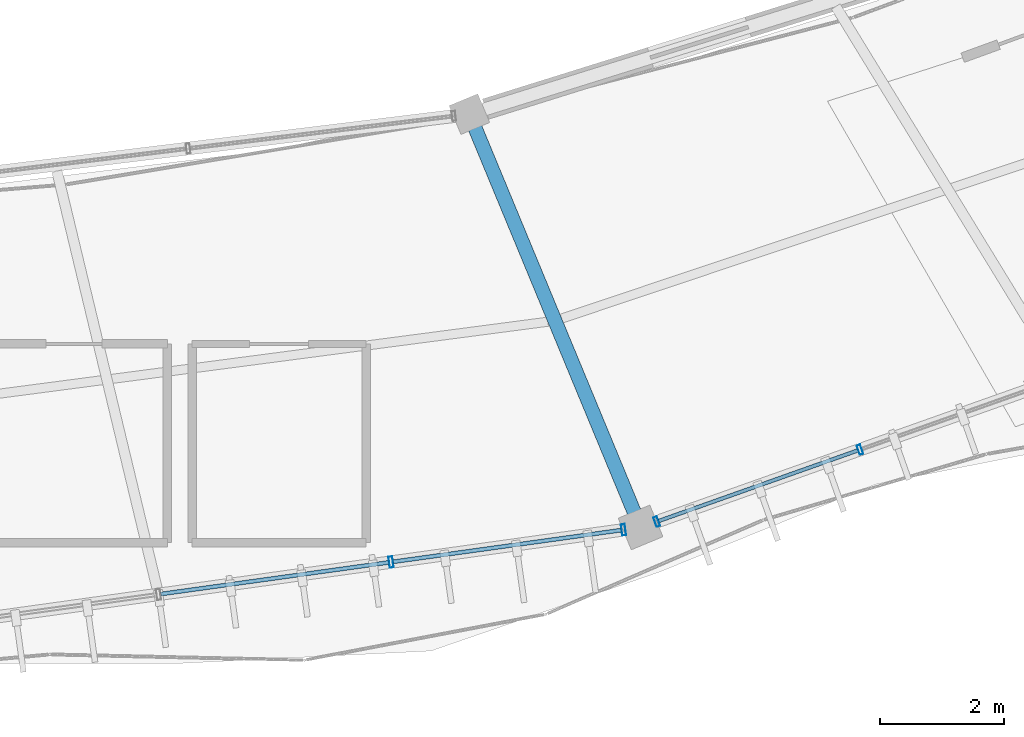
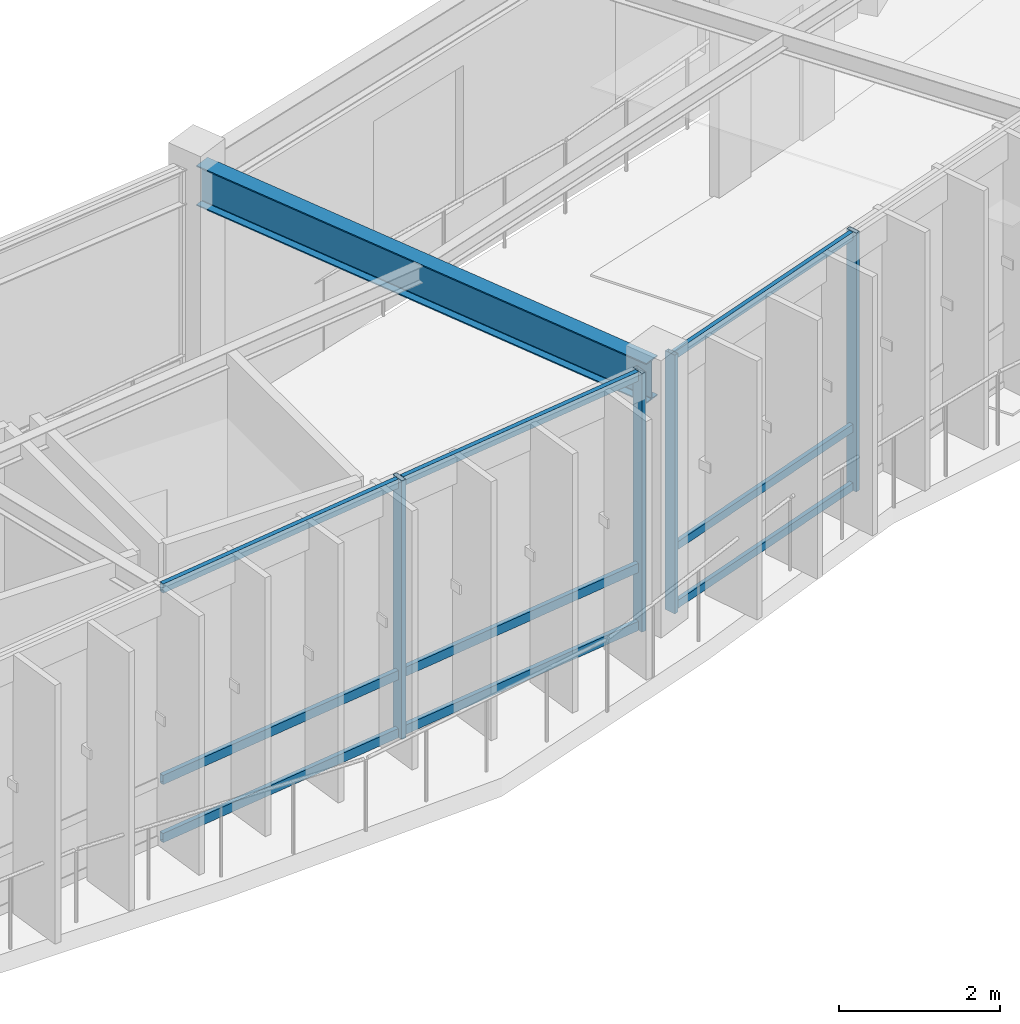
# One storey, part 41 of 79: 13 members, 1 beam, 2 elements without a shape of their own.
"""IFC4 building model written with IfcOpenShell, lengths in metres."""

import ifcopenshell
import ifcopenshell.guid

model = None  # the IFC model being written
_history = None  # IfcOwnerHistory: only IFC2X3 demands one
_inside = {}  # id of a spatial element -> (the spatial element, [elements in it])
_under = {}  # id of a project, library or spatial element -> (it, [spatial elements below it])
_declared = {}  # id of a project -> (the project, [libraries it declares])
_typed = {}  # id of a type object -> (the type object, [elements of that type])
_made_of = {}  # id of a material, layer set ... -> (it, [elements and type objects made of it])


def new_model(schema):
    """Start an empty IFC model of exactly this schema.

    Asked for "IFC4X3", IfcOpenShell would pick the latest addendum, in which some entities
    have other attributes; the version numbers below select the first issue.
    IFC2X3 requires an IfcOwnerHistory on every rooted entity: one is made here for all.
    """
    global model, _history
    if schema == "IFC4X3":
        model = ifcopenshell.file(schema_version=(4, 3, 0, 0))
    else:
        model = ifcopenshell.file(schema=schema)
    _inside.clear()
    _under.clear()
    _declared.clear()
    _typed.clear()
    _made_of.clear()
    _history = None
    if model.schema == "IFC2X3":
        org = make("IfcOrganization", Name="unknown")
        user = make(
            "IfcPersonAndOrganization",
            ThePerson=make("IfcPerson", FamilyName="unknown"),
            TheOrganization=org,
        )
        app = make(
            "IfcApplication",
            ApplicationDeveloper=org,
            Version="unknown",
            ApplicationFullName="unknown",
            ApplicationIdentifier="unknown",
        )
        _history = make(
            "IfcOwnerHistory",
            OwningUser=user,
            OwningApplication=app,
            ChangeAction="ADDED",
            CreationDate=0,
        )
    return model


def make(cls, **values):
    """One entity of the class cls with the attributes given. An attribute that is None is left unset."""
    return model.create_entity(
        cls, **{name: value for name, value in values.items() if value is not None}
    )


def rooted(cls, **values):
    """An entity with a GlobalId (a new one), such as an element, a storey or a relation."""
    return make(cls, GlobalId=ifcopenshell.guid.new(), OwnerHistory=_history, **values)


def si_unit(unit_type, name, prefix=None):
    """IfcSIUnit, for example si_unit("LENGTHUNIT", "METRE", prefix="MILLI")."""
    return make("IfcSIUnit", UnitType=unit_type, Prefix=prefix, Name=name)


def assignment(units):
    """IfcUnitAssignment: the units of a project."""
    return None if units is None else make("IfcUnitAssignment", Units=units)


def point(xyz):
    """IfcCartesianPoint."""
    return None if xyz is None else make("IfcCartesianPoint", Coordinates=xyz)


def direction(xyz):
    """IfcDirection."""
    return None if xyz is None else make("IfcDirection", DirectionRatios=xyz)


def frame(location, z_axis=None, x_axis=None):
    """IfcAxis2Placement3D, a coordinate frame: its origin and axes. An axis left out is left unset."""
    return make(
        "IfcAxis2Placement3D",
        Location=point(location),
        Axis=direction(z_axis),
        RefDirection=direction(x_axis),
    )


def frame_2d(location, x_axis=None):
    """IfcAxis2Placement2D, a coordinate frame in the plane: its origin and x axis."""
    return make(
        "IfcAxis2Placement2D", Location=point(location), RefDirection=direction(x_axis)
    )


def origin():
    """The frame at (0, 0, 0) with its axes left unset."""
    return frame((0.0, 0.0, 0.0))


def origin_2d():
    """The frame at (0, 0) in the plane with its x axis left unset."""
    return frame_2d((0.0, 0.0))


def place(relative_to, where):
    """IfcLocalPlacement: puts the frame where relative to a parent placement (None: the world)."""
    return make(
        "IfcLocalPlacement", PlacementRelTo=relative_to, RelativePlacement=where
    )


def context(
    kind, dimensions, precision=None, world=None, true_north=None, identifier=None
):
    """IfcGeometricRepresentationContext, for example the 3D "Model" context."""
    return make(
        "IfcGeometricRepresentationContext",
        ContextIdentifier=identifier,
        ContextType=kind,
        CoordinateSpaceDimension=dimensions,
        Precision=precision,
        WorldCoordinateSystem=world,
        TrueNorth=true_north,
    )


def subcontext(parent, identifier, kind, view, scale=None):
    """IfcGeometricRepresentationSubContext, for example "Body" below "Model"."""
    return make(
        "IfcGeometricRepresentationSubContext",
        ContextIdentifier=identifier,
        ContextType=kind,
        ParentContext=parent,
        TargetScale=scale,
        TargetView=view,
    )


def project(units=None, contexts=None):
    """IfcProject with its units and contexts."""
    return rooted(
        "IfcProject",
        Name="project",
        RepresentationContexts=contexts,
        UnitsInContext=assignment(units),
    )


def spatial(cls, under=None, at=None, **own):
    """A site, building, storey or space (cls), placed at a placement, below another one or the project."""
    s = rooted(cls, ObjectPlacement=at, **own)
    if under is not None:
        _under.setdefault(under.id(), (under, []))[1].append(s)
    return s


def profile(cls, at=None, kind="AREA", **sizes):
    """A parametric profile (cls). Its sizes go by their IFC names, for example OverallWidth=200.0."""
    return make(cls, ProfileType=kind, Position=at, **sizes)


def hollow_rectangle(**sizes):
    """IfcRectangleHollowProfileDef."""
    return profile("IfcRectangleHollowProfileDef", **sizes)


def i_section(**sizes):
    """IfcIShapeProfileDef."""
    return profile("IfcIShapeProfileDef", **sizes)


def extrude(swept, where, along, depth):
    """IfcExtrudedAreaSolid: the profile swept, set in the frame where, extruded along a direction by depth."""
    return make(
        "IfcExtrudedAreaSolid",
        SweptArea=swept,
        Position=where,
        ExtrudedDirection=direction(along),
        Depth=depth,
    )


def shape(context_of_items, identifier, shape_type, items):
    """IfcShapeRepresentation: the items that make up one representation, for example the "Body"."""
    return make(
        "IfcShapeRepresentation",
        ContextOfItems=context_of_items,
        RepresentationIdentifier=identifier,
        RepresentationType=shape_type,
        Items=items,
    )


def material(Name=None, Category=None):
    """IfcMaterial."""
    return make("IfcMaterial", Name=Name, Category=Category)


def material_profile(
    of_material, cross_section, Name=None, Category=None, Priority=None
):
    """IfcMaterialProfile: a cross section and its material."""
    return make(
        "IfcMaterialProfile",
        Name=Name,
        Material=of_material,
        Profile=cross_section,
        Priority=Priority,
        Category=Category,
    )


def profile_set(profiles, Name=None, composite=None):
    """IfcMaterialProfileSet."""
    return make(
        "IfcMaterialProfileSet",
        Name=Name,
        MaterialProfiles=profiles,
        CompositeProfile=composite,
    )


def made_of(thing, what):
    """Note that an element or type object is made of a material, layer set ...; save() writes the relation."""
    if what is not None:
        _made_of.setdefault(what.id(), (what, []))[1].append(thing)
    return thing


def type_object(cls, material=None, **own):
    """A type object (cls), such as IfcWallType, which elements share."""
    return made_of(rooted(cls, **own), material)


def element(
    cls,
    number,
    at=None,
    inside=None,
    cuts=None,
    type_object=None,
    material=None,
    context=None,
    identifier="Body",
    shape_type=None,
    held_by="IfcProductDefinitionShape",
    body=None,
    shapes=None,
    **own,
):
    """One element of the class cls, such as IfcWall. Its Tag is "e" and its number.

    at: its placement. inside: the storey or other place that contains it. cuts: it is an
    opening in that element (IfcRelVoidsElement). A single representation is given by context,
    identifier, shape_type and body (its items); several are given by shapes. held_by: the class
    of the entity that holds the representations. save() writes the other relations.
    """
    e = rooted(cls, Tag="e%d" % number, ObjectPlacement=at, **own)
    if body is not None:
        shapes = [shape(context, identifier, shape_type, body)]
    if shapes is not None:
        e.Representation = make(held_by, Representations=shapes)
    if inside is not None:
        _inside.setdefault(inside.id(), (inside, []))[1].append(e)
    if cuts is not None:
        rooted(
            "IfcRelVoidsElement", RelatingBuildingElement=cuts, RelatedOpeningElement=e
        )
    if type_object is not None:
        _typed.setdefault(type_object.id(), (type_object, []))[1].append(e)
    return made_of(e, material)


def aggregate(whole, parts):
    """IfcRelAggregates: a whole, such as a stair, and the parts it consists of."""
    return rooted("IfcRelAggregates", RelatingObject=whole, RelatedObjects=parts)


def save(model, path):
    """Write the relations noted so far, then the file.

    IfcRelAggregates (storeys below a building ...), IfcRelContainedInSpatialStructure (elements
    in a storey), IfcRelDefinesByType, IfcRelAssociatesMaterial and IfcRelDeclares: one each for
    every whole, place, type object, material and project.
    """
    for whole, parts in _under.values():
        aggregate(whole, parts)
    for where, things in _inside.values():
        rooted(
            "IfcRelContainedInSpatialStructure",
            RelatedElements=things,
            RelatingStructure=where,
        )
    for kind, things in _typed.values():
        rooted("IfcRelDefinesByType", RelatedObjects=things, RelatingType=kind)
    for what, things in _made_of.values():
        rooted("IfcRelAssociatesMaterial", RelatedObjects=things, RelatingMaterial=what)
    for by, libraries in _declared.values():
        rooted("IfcRelDeclares", RelatingContext=by, RelatedDefinitions=libraries)
    model.write(path)


model = new_model("IFC4")

# Units and contexts
model_context = context("Model", 3, precision=1e-05, world=origin(), true_north=direction((0.0, 1.0)))
body_context = subcontext(model_context, "Body", "Model", "MODEL_VIEW")
ifc_project = project(units=[si_unit("LENGTHUNIT", "METRE"), si_unit("AREAUNIT", "SQUARE_METRE"), si_unit("VOLUMEUNIT", "CUBIC_METRE"), si_unit("PLANEANGLEUNIT", "RADIAN"), si_unit("MASSUNIT", "GRAM", prefix="KILO"), si_unit("THERMODYNAMICTEMPERATUREUNIT", "KELVIN"), si_unit("POWERUNIT", "WATT")], contexts=[model_context])

# Site, building, storey
site_placement = place(None, origin())
site = spatial("IfcSite", under=ifc_project, at=site_placement, CompositionType="ELEMENT")
building_placement = place(site_placement, origin())
building = spatial("IfcBuilding", under=site, at=building_placement, Name="Darbajah Civic Hall", CompositionType="ELEMENT")
storey_placement = place(building_placement, frame((0.0, 0.0, 22.199951171875)))
storey = spatial("IfcBuildingStorey", under=building, at=storey_placement, Name="L05", CompositionType="ELEMENT", Elevation=22.199951171875)

# Curtain wall, members
ifc_material_1 = material(Name="Anodised Bronze Aluminium and Low-E Glazing", Category="aluminium")
curtain_wall_type_1 = type_object("IfcCurtainWallType", Name="Unitised Curtain Wall CW-85 13900x3900", PredefinedType="USERDEFINED", material=ifc_material_1)
curtain_wall_1_placement = place(storey_placement, origin())
curtain_wall_1 = element("IfcCurtainWall", 1, at=curtain_wall_1_placement, inside=storey, type_object=curtain_wall_type_1, Name="L05 unitised curtain wall CW-V1O-L05-16", ObjectType="UNITISED CURTAIN WALL", PredefinedType="USERDEFINED")
ifc_material_2 = material(Name="Anodised Bronze Aluminium", Category="aluminium")
ifc_material_profile_1 = material_profile(ifc_material_2, hollow_rectangle(XDim=0.06005859375, YDim=0.159912109375, WallThickness=0.00341796875, at=origin_2d()), Name="ALU MULLION 60x160")
ifc_profile_set_1 = profile_set([ifc_material_profile_1], Name="Anodised Bronze Aluminium")
member_type_1 = type_object("IfcMemberType", Name="ALU MULLION 60x160", PredefinedType="MULLION", material=ifc_profile_set_1)
member_1_placement = place(storey_placement, frame((108.8779296875, 62.63818359375, 0.0), z_axis=(0.0, 0.0, 1.0), x_axis=(0.94252491309, 0.334135882844, 0.0)))
member_1 = element("IfcMember", 2, at=member_1_placement, type_object=member_type_1, Name="CW-V1O-L05-16 mullion 1", PredefinedType="MULLION", context=body_context, shape_type="SweptSolid", body=[
    extrude(hollow_rectangle(XDim=0.06005859375, YDim=0.159912109375, WallThickness=0.00341796875, at=origin_2d()), origin(), (0.0, 0.0, 1.0), 3.920166015625),
])
member_2_placement = place(storey_placement, frame((112.148681640625, 63.79736328125, 0.0), z_axis=(0.0, 0.0, 1.0), x_axis=(0.94252491309, 0.334135882844, 0.0)))
member_2 = element("IfcMember", 3, at=member_2_placement, type_object=member_type_1, Name="CW-V1O-L05-16 mullion 2", PredefinedType="MULLION", context=body_context, shape_type="SweptSolid", body=[
    extrude(hollow_rectangle(XDim=0.06005859375, YDim=0.159912109375, WallThickness=0.00341796875, at=origin_2d()), origin(), (0.0, 0.0, 1.0), 3.920166015625),
])

curtain_wall_type_2 = type_object("IfcCurtainWallType", Name="Unitised Curtain Wall CW-72 15100x3900", PredefinedType="USERDEFINED", material=ifc_material_1)
curtain_wall_2_placement = place(storey_placement, origin())
curtain_wall_2 = element("IfcCurtainWall", 4, at=curtain_wall_2_placement, inside=storey, type_object=curtain_wall_type_2, Name="L05 unitised curtain wall CW-V1O-L05-15", ObjectType="UNITISED CURTAIN WALL", PredefinedType="USERDEFINED")
ifc_material_profile_2 = material_profile(ifc_material_2, hollow_rectangle(XDim=0.06494140625, YDim=0.179931640625, WallThickness=0.00390625, at=origin_2d()), Name="ALU MULLION 65x180")
ifc_profile_set_2 = profile_set([ifc_material_profile_2], Name="Anodised Bronze Aluminium")
member_type_2 = type_object("IfcMemberType", Name="ALU MULLION 65x180", PredefinedType="MULLION", material=ifc_profile_set_2)
member_3_placement = place(storey_placement, frame((104.600830078125, 61.98779296875, 0.0), z_axis=(0.0, 0.0, 1.0), x_axis=(0.990485459553, 0.137617420457, 0.0)))
member_3 = element("IfcMember", 5, at=member_3_placement, type_object=member_type_2, Name="CW-V1O-L05-15 mullion 4", PredefinedType="MULLION", context=body_context, shape_type="SweptSolid", body=[
    extrude(hollow_rectangle(XDim=0.06494140625, YDim=0.179931640625, WallThickness=0.00390625, at=origin_2d()), origin(), (0.0, 0.0, 1.0), 3.920166015625),
])
member_4_placement = place(storey_placement, frame((108.342529296875, 62.507568359375, 0.0), z_axis=(0.0, 0.0, 1.0), x_axis=(0.990485459553, 0.137617420457, 0.0)))
member_4 = element("IfcMember", 6, at=member_4_placement, type_object=member_type_2, Name="CW-V1O-L05-15 mullion 5", PredefinedType="MULLION", context=body_context, shape_type="SweptSolid", body=[
    extrude(hollow_rectangle(XDim=0.06494140625, YDim=0.179931640625, WallThickness=0.00390625, at=origin_2d()), origin(), (0.0, 0.0, 1.0), 3.920166015625),
])

# Member
ifc_material_profile_3 = material_profile(ifc_material_2, hollow_rectangle(XDim=0.06005859375, YDim=0.1201171875, WallThickness=0.003173828125, at=origin_2d()), Name="ALU TRANSOM 60x120")
ifc_profile_set_3 = profile_set([ifc_material_profile_3], Name="Anodised Bronze Aluminium")
member_type_3 = type_object("IfcMemberType", Name="ALU TRANSOM 60x120", PredefinedType="USERDEFINED", material=ifc_profile_set_3)
member_5_placement = place(storey_placement, frame((108.910888671875, 62.64990234375, 0.06005859375), z_axis=(0.942540106259, 0.334093023114, 0.0), x_axis=(-0.334093023114, 0.942540106259, 0.0)))
member_5 = element("IfcMember", 7, at=member_5_placement, type_object=member_type_3, Name="CW-V1O-L05-16 transom 1.1", ObjectType="TRANSOM", PredefinedType="USERDEFINED", context=body_context, shape_type="SweptSolid", body=[
    extrude(hollow_rectangle(XDim=0.06005859375, YDim=0.1201171875, WallThickness=0.003173828125, at=origin_2d()), origin(), (0.0, 0.0, 1.0), 3.400146484375),
])

member_6_placement = place(storey_placement, frame((108.910888671875, 62.64990234375, 0.949951171875), z_axis=(0.942540106259, 0.334093023114, 0.0), x_axis=(-0.334093023114, 0.942540106259, 0.0)))
member_6 = element("IfcMember", 8, at=member_6_placement, type_object=member_type_3, Name="CW-V1O-L05-16 transom 1.2", ObjectType="TRANSOM", PredefinedType="USERDEFINED", context=body_context, shape_type="SweptSolid", body=[
    extrude(hollow_rectangle(XDim=0.06005859375, YDim=0.1201171875, WallThickness=0.003173828125, at=origin_2d()), origin(), (0.0, 0.0, 1.0), 3.400146484375),
])

member_7_placement = place(storey_placement, frame((108.910888671875, 62.64990234375, 3.860107421875), z_axis=(0.942540106259, 0.334093023114, 0.0), x_axis=(-0.334093023114, 0.942540106259, 0.0)))
member_7 = element("IfcMember", 9, at=member_7_placement, type_object=member_type_3, Name="CW-V1O-L05-16 transom 1.3", ObjectType="TRANSOM", PredefinedType="USERDEFINED", context=body_context, shape_type="SweptSolid", body=[
    extrude(hollow_rectangle(XDim=0.06005859375, YDim=0.1201171875, WallThickness=0.003173828125, at=origin_2d()), origin(), (0.0, 0.0, 1.0), 3.400146484375),
])

aggregate(curtain_wall_1, [member_1, member_2, member_5, member_6, member_7])

ifc_material_profile_4 = material_profile(ifc_material_2, hollow_rectangle(XDim=0.06494140625, YDim=0.139892578125, WallThickness=0.00341796875, at=origin_2d()), Name="ALU TRANSOM 65x140")
ifc_profile_set_4 = profile_set([ifc_material_profile_4], Name="Anodised Bronze Aluminium")
member_type_4 = type_object("IfcMemberType", Name="ALU TRANSOM 65x140", PredefinedType="USERDEFINED", material=ifc_profile_set_4)
member_8_placement = place(storey_placement, frame((100.896240234375, 61.473388671875, 0.070068359375), z_axis=(0.990495766836, 0.137543214593, 0.0), x_axis=(-0.137543214593, 0.990495766836, 0.0)))
member_8 = element("IfcMember", 10, at=member_8_placement, type_object=member_type_4, Name="CW-V1O-L05-15 transom 3.1", ObjectType="TRANSOM", PredefinedType="USERDEFINED", context=body_context, shape_type="SweptSolid", body=[
    extrude(hollow_rectangle(XDim=0.06494140625, YDim=0.139892578125, WallThickness=0.00341796875, at=origin_2d()), origin(), (0.0, 0.0, 1.0), 3.70263671875),
])

member_9_placement = place(storey_placement, frame((100.896240234375, 61.473388671875, 0.949951171875), z_axis=(0.990495766836, 0.137543214593, 0.0), x_axis=(-0.137543214593, 0.990495766836, 0.0)))
member_9 = element("IfcMember", 11, at=member_9_placement, type_object=member_type_4, Name="CW-V1O-L05-15 transom 3.2", ObjectType="TRANSOM", PredefinedType="USERDEFINED", context=body_context, shape_type="SweptSolid", body=[
    extrude(hollow_rectangle(XDim=0.06494140625, YDim=0.139892578125, WallThickness=0.00341796875, at=origin_2d()), origin(), (0.0, 0.0, 1.0), 3.70263671875),
])

member_10_placement = place(storey_placement, frame((100.896240234375, 61.473388671875, 3.85009765625), z_axis=(0.990495766836, 0.137543214593, 0.0), x_axis=(-0.137543214593, 0.990495766836, 0.0)))
member_10 = element("IfcMember", 12, at=member_10_placement, type_object=member_type_4, Name="CW-V1O-L05-15 transom 3.3", ObjectType="TRANSOM", PredefinedType="USERDEFINED", context=body_context, shape_type="SweptSolid", body=[
    extrude(hollow_rectangle(XDim=0.06494140625, YDim=0.139892578125, WallThickness=0.00341796875, at=origin_2d()), origin(), (0.0, 0.0, 1.0), 3.70263671875),
])

member_11_placement = place(storey_placement, frame((104.637939453125, 61.992919921875, 0.070068359375), z_axis=(0.990495766836, 0.137543214593, 0.0), x_axis=(-0.137543214593, 0.990495766836, 0.0)))
member_11 = element("IfcMember", 13, at=member_11_placement, type_object=member_type_4, Name="CW-V1O-L05-15 transom 4.1", ObjectType="TRANSOM", PredefinedType="USERDEFINED", context=body_context, shape_type="SweptSolid", body=[
    extrude(hollow_rectangle(XDim=0.06494140625, YDim=0.139892578125, WallThickness=0.00341796875, at=origin_2d()), origin(), (0.0, 0.0, 1.0), 3.70263671875),
])

member_12_placement = place(storey_placement, frame((104.637939453125, 61.992919921875, 0.949951171875), z_axis=(0.990495766836, 0.137543214593, 0.0), x_axis=(-0.137543214593, 0.990495766836, 0.0)))
member_12 = element("IfcMember", 14, at=member_12_placement, type_object=member_type_4, Name="CW-V1O-L05-15 transom 4.2", ObjectType="TRANSOM", PredefinedType="USERDEFINED", context=body_context, shape_type="SweptSolid", body=[
    extrude(hollow_rectangle(XDim=0.06494140625, YDim=0.139892578125, WallThickness=0.00341796875, at=origin_2d()), origin(), (0.0, 0.0, 1.0), 3.70263671875),
])

member_13_placement = place(storey_placement, frame((104.637939453125, 61.992919921875, 3.85009765625), z_axis=(0.990495766836, 0.137543214593, 0.0), x_axis=(-0.137543214593, 0.990495766836, 0.0)))
member_13 = element("IfcMember", 15, at=member_13_placement, type_object=member_type_4, Name="CW-V1O-L05-15 transom 4.3", ObjectType="TRANSOM", PredefinedType="USERDEFINED", context=body_context, shape_type="SweptSolid", body=[
    extrude(hollow_rectangle(XDim=0.06494140625, YDim=0.139892578125, WallThickness=0.00341796875, at=origin_2d()), origin(), (0.0, 0.0, 1.0), 3.70263671875),
])

aggregate(curtain_wall_2, [member_3, member_4, member_8, member_9, member_10, member_11, member_12, member_13])

# Beam
ifc_material_3 = material(Name="Steel S355JR", Category="steel")
ifc_material_profile_5 = material_profile(ifc_material_3, i_section(OverallWidth=0.228271484375, OverallDepth=0.607666015625, WebThickness=0.010986328125, FlangeThickness=0.017333984375, FilletRadius=0.0126953125, at=origin_2d()), Name="UB 610x229x113")
ifc_profile_set_5 = profile_set([ifc_material_profile_5], Name="Steel S355JR")
beam_type = type_object("IfcBeamType", Name="UB 610x229x113", PredefinedType="BEAM", material=ifc_profile_set_5)
beam_placement = place(storey_placement, frame((105.89208984375, 69.12353515625, 3.6162109375), z_axis=(0.382681552297, -0.923880311259, 0.0), x_axis=(0.923880311259, 0.382681552297, 0.0)))
element("IfcBeam", 16, at=beam_placement, inside=storey, type_object=beam_type, Name="L05 beam SB-610", PredefinedType="BEAM", context=body_context, shape_type="SweptSolid", body=[
    extrude(i_section(OverallWidth=0.228271484375, OverallDepth=0.607666015625, WebThickness=0.010986328125, FlangeThickness=0.017333984375, FilletRadius=0.0126953125, at=origin_2d()), origin(), (0.0, 0.0, 1.0), 7.0400390625),
])

save(model, "model.ifc")
